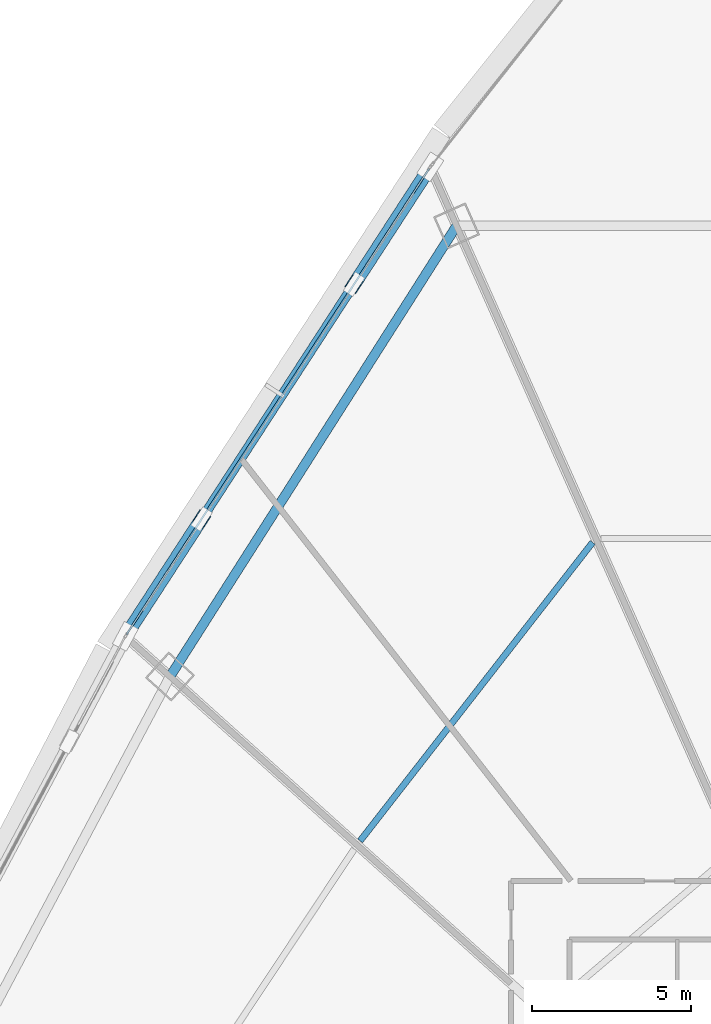
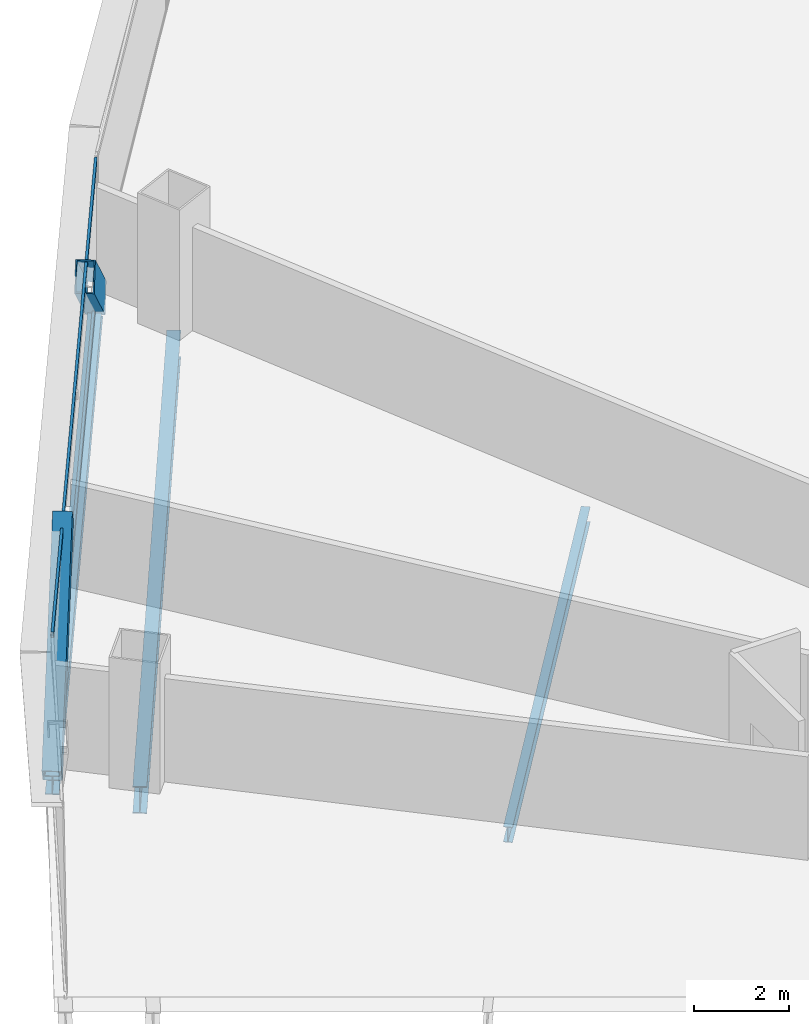
# One storey, part 16 of 38: 4 members, 3 beams, 1 element without a shape of its own.
"""IFC4 building model written with IfcOpenShell, lengths in metres."""

from ifc_helpers import new_model, si_unit, direction, frame, origin, origin_2d, place, context, subcontext, project, spatial, hollow_rectangle, i_section, extrude, source, transform, mapped, material, layer, layer_set, material_profile, profile_set, type_object, element, aggregate, save


model = new_model("IFC4")

# Units and contexts
model_context = context("Model", 3, precision=1e-05, world=origin(), true_north=direction((0.0, 1.0)))
body_context = subcontext(model_context, "Body", "Model", "MODEL_VIEW")
ifc_project = project(units=[si_unit("LENGTHUNIT", "METRE"), si_unit("AREAUNIT", "SQUARE_METRE"), si_unit("VOLUMEUNIT", "CUBIC_METRE"), si_unit("PLANEANGLEUNIT", "RADIAN"), si_unit("MASSUNIT", "GRAM", prefix="KILO"), si_unit("THERMODYNAMICTEMPERATUREUNIT", "KELVIN"), si_unit("POWERUNIT", "WATT")], contexts=[model_context])

# Site, building, storey
site_placement = place(None, origin())
site = spatial("IfcSite", under=ifc_project, at=site_placement, CompositionType="ELEMENT")
building_placement = place(site_placement, origin())
building = spatial("IfcBuilding", under=site, at=building_placement, Name="Yunzhuo Pagoda Commons", CompositionType="ELEMENT")
storey_placement = place(building_placement, frame((0.0, 0.0, 34.030029296875)))
storey = spatial("IfcBuildingStorey", under=building, at=storey_placement, Name="L08", CompositionType="ELEMENT", Elevation=34.030029296875)

# Beams
ifc_material_1 = material(Name="Structural steel Q355B", Category="steel")
ifc_material_profile_1 = material_profile(ifc_material_1, i_section(OverallWidth=0.300048828125, OverallDepth=0.699951171875, WebThickness=0.012939453125, FlangeThickness=0.02392578125, at=origin_2d()), Name="Structural steel Q355B")
ifc_profile_set_1 = profile_set([ifc_material_profile_1], Name="Structural steel Q355B")
beam_type_1 = type_object("IfcBeamType", Name="B-RG1 Beam HN 700x300x13x24", PredefinedType="BEAM", material=ifc_profile_set_1)
shared_shape_1 = source(origin(), body_context, "Body", "SweptSolid", [
    extrude(i_section(OverallWidth=0.300048828125, OverallDepth=0.699951171875, WebThickness=0.012939453125, FlangeThickness=0.02392578125, at=origin_2d()), origin(), (0.0, 0.0, 1.0), 16.843994140625),
])
beam_1_placement = place(storey_placement, frame((31.38916015625, 71.008544921875, -0.610107421875), z_axis=(-0.536558458992, -0.843863152462, 0.0), x_axis=(0.843863152462, -0.536558458992, 0.0)))
element("IfcBeam", 1, at=beam_1_placement, inside=storey, type_object=beam_type_1, Name="L08 column-ring beam 9", PredefinedType="BEAM", context=body_context, shape_type="MappedRepresentation", body=[
    mapped(shared_shape_1, transform((0.0, 0.0, 0.0), scale=1.0)),
])
ifc_material_profile_2 = material_profile(ifc_material_1, i_section(OverallWidth=0.300048828125, OverallDepth=0.488037109375, WebThickness=0.010986328125, FlangeThickness=0.01806640625, at=origin_2d()), Name="Structural steel Q355B")
ifc_profile_set_2 = profile_set([ifc_material_profile_2], Name="Structural steel Q355B")
beam_type_2 = type_object("IfcBeamType", Name="B-SP1 Beam HM 488x300x11x18", PredefinedType="BEAM", material=ifc_profile_set_2)
shared_shape_2 = source(origin(), body_context, "Body", "SweptSolid", [
    extrude(i_section(OverallWidth=0.300048828125, OverallDepth=0.488037109375, WebThickness=0.010986328125, FlangeThickness=0.01806640625, at=origin_2d()), origin(), (0.0, 0.0, 1.0), 17.65625),
])
beam_2_placement = place(storey_placement, frame((30.560546875, 72.869384765625, -0.504150390625), z_axis=(-0.544659757043, -0.838657110539, 0.0), x_axis=(0.838657110539, -0.544659757043, 0.0)))
element("IfcBeam", 2, at=beam_2_placement, inside=storey, type_object=beam_type_2, Name="L08 facade edge spandrel beam F3.1", PredefinedType="BEAM", context=body_context, shape_type="MappedRepresentation", body=[
    mapped(shared_shape_2, transform((0.0, 0.0, 0.0), scale=1.0)),
])
ifc_material_profile_3 = material_profile(ifc_material_1, i_section(OverallWidth=0.199951171875, OverallDepth=0.39990234375, WebThickness=0.008056640625, FlangeThickness=0.012939453125, at=origin_2d()), Name="Structural steel Q355B")
ifc_profile_set_3 = profile_set([ifc_material_profile_3], Name="Structural steel Q355B")
beam_type_3 = type_object("IfcBeamType", Name="B-JS1 Joist HN 400x200x8x13", PredefinedType="JOIST", material=ifc_profile_set_3)
shared_shape_3 = source(origin(), body_context, "Body", "SweptSolid", [
    extrude(i_section(OverallWidth=0.199951171875, OverallDepth=0.39990234375, WebThickness=0.008056640625, FlangeThickness=0.012939453125, at=origin_2d()), origin(), (0.0, 0.0, 1.0), 11.934326171875),
])
beam_3_placement = place(storey_placement, frame((35.680908203125, 61.0244140625, -0.4599609375), z_axis=(-0.614546587023, -0.788880531119, 0.0), x_axis=(0.788880531119, -0.614546587023, 0.0)))
element("IfcBeam", 3, at=beam_3_placement, inside=storey, type_object=beam_type_3, Name="L08 composite ring joist 2.9", PredefinedType="JOIST", context=body_context, shape_type="MappedRepresentation", body=[
    mapped(shared_shape_3, transform((0.0, 0.0, 0.0), scale=1.0)),
])

# Members
ifc_material_2 = material(Name="Structural steel Q420B", Category="steel")
ifc_material_profile_4 = material_profile(ifc_material_2, hollow_rectangle(XDim=0.419921875, YDim=0.719970703125, WallThickness=0.028076171875, at=origin_2d()), Name="Structural steel Q420B")
ifc_profile_set_4 = profile_set([ifc_material_profile_4], Name="Structural steel Q420B")
member_type_1 = type_object("IfcMemberType", Name="M-DL1 Brace BOX 720x420x28", PredefinedType="BRACE", material=ifc_profile_set_4)
shared_shape_4 = source(origin(), body_context, "Body", "SweptSolid", [
    extrude(hollow_rectangle(XDim=0.419921875, YDim=0.719970703125, WallThickness=0.028076171875, at=origin_2d()), origin(), (0.0, 0.0, 1.0), 5.714599609375),
])
for number, where, z_axis, x_axis, name in (
    (4, (30.560546875, 72.869384765625, -0.259765625), (-0.420725237272, -0.647749395565, 0.635146436081), (0.838628068455, -0.544704472902, 0.0), "L08 facade diamond brace F3.1L"),
    (5, (20.94384765625, 58.061767578125, -0.259765625), (0.420678434509, 0.647785833498, 0.635140274788), (-0.838669742705, 0.544640305772, 0.0), "L08 facade diamond brace F3.1R"),
):
    element("IfcMember", number, at=place(storey_placement, frame(where, z_axis=z_axis, x_axis=x_axis)), inside=storey, type_object=member_type_1, Name=name, PredefinedType="BRACE", context=body_context, shape_type="MappedRepresentation", body=[
        mapped(shared_shape_4, transform((0.0, 0.0, 0.0), scale=1.0)),
    ])

# Curtain wall, members
ifc_material_3 = material(Name="Anodized aluminium 6063-T6", Category="aluminium")
ifc_layer = layer(ifc_material_3, 0.1650390625)
ifc_layer_set = layer_set([ifc_layer], Name="Anodized aluminium 6063-T6")
curtain_wall_type = type_object("IfcCurtainWallType", Name="CW-LOW Low-Zone Ribbon Curtain Wall", PredefinedType="NOTDEFINED", material=ifc_layer_set)
curtain_wall_placement = place(storey_placement, origin())
curtain_wall = element("IfcCurtainWall", 6, at=curtain_wall_placement, inside=storey, type_object=curtain_wall_type, Name="L08 curtain wall CW-L08-F3B2", PredefinedType="NOTDEFINED")
ifc_material_profile_5 = material_profile(ifc_material_3, hollow_rectangle(XDim=0.06005859375, YDim=0.139892578125, WallThickness=0.00341796875, at=origin_2d()), Name="Anodized aluminium 6063-T6")
ifc_profile_set_5 = profile_set([ifc_material_profile_5], Name="Anodized aluminium 6063-T6")
member_type_2 = type_object("IfcMemberType", Name="CW-LOW-T Transom RHS 140x60x3.5", PredefinedType="USERDEFINED", material=ifc_profile_set_5)
shared_shape_5 = source(origin(), body_context, "Body", "SweptSolid", [
    extrude(hollow_rectangle(XDim=0.06005859375, YDim=0.139892578125, WallThickness=0.00341796875, at=origin_2d()), origin(), (0.0, 0.0, 1.0), 17.526611328125),
])
member_1_placement = place(storey_placement, frame((30.525390625, 72.81494140625, 0.030029296875), z_axis=(-0.544675936796, -0.838646602494, 0.0), x_axis=(0.838646602494, -0.544675936796, 0.0)))
member_1 = element("IfcMember", 7, at=member_1_placement, type_object=member_type_2, Name="CW transom 1.1", ObjectType="TRANSOM", PredefinedType="USERDEFINED", context=body_context, shape_type="MappedRepresentation", body=[
    mapped(shared_shape_5, transform((0.0, 0.0, 0.0), scale=1.0)),
])
member_2_placement = place(storey_placement, frame((30.525390625, 72.81494140625, 3.340087890625), z_axis=(-0.544675936796, -0.838646602494, 0.0), x_axis=(0.838646602494, -0.544675936796, 0.0)))
member_2 = element("IfcMember", 8, at=member_2_placement, type_object=member_type_2, Name="CW transom 1.2", ObjectType="TRANSOM", PredefinedType="USERDEFINED", context=body_context, shape_type="MappedRepresentation", body=[
    mapped(shared_shape_5, transform((0.0, 0.0, 0.0), scale=1.0)),
])
aggregate(curtain_wall, [member_1, member_2])

save(model, "model.ifc")
